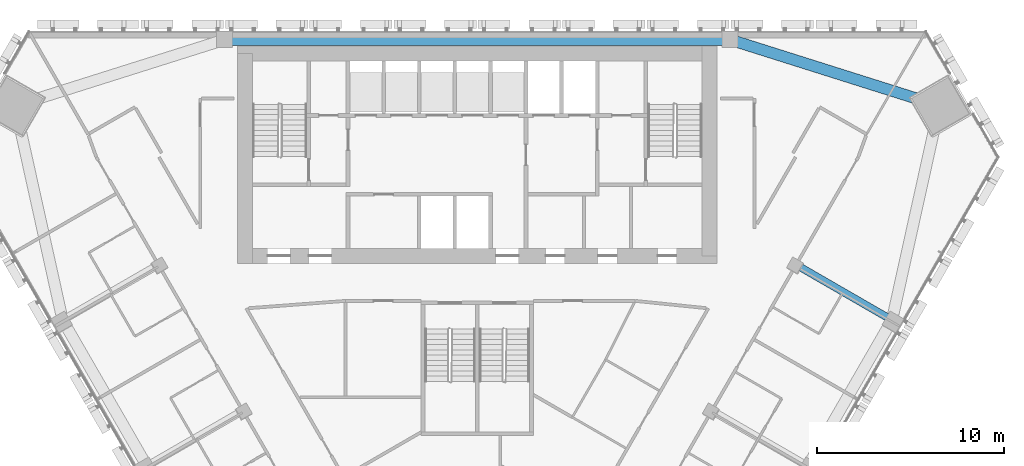
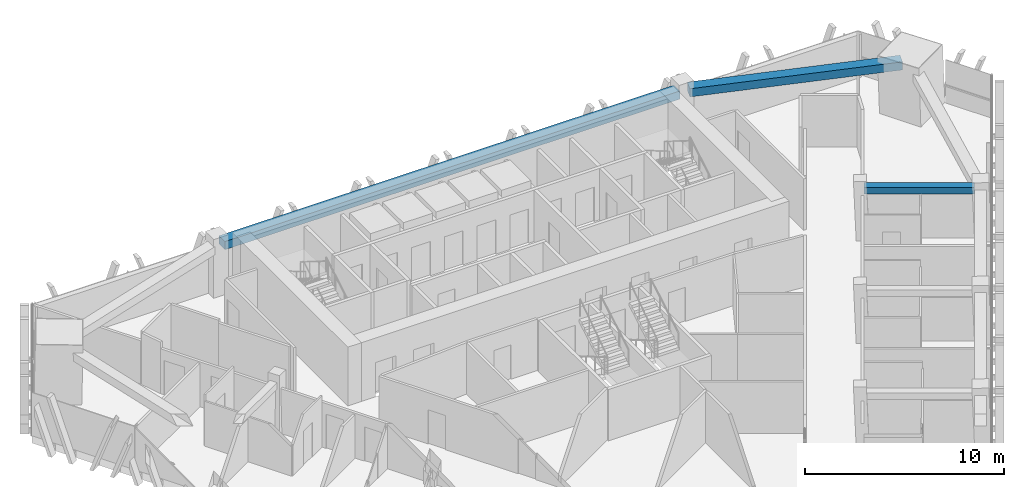
# One storey, part 6 of 16: 3 beams.
"""IFC4 building model written with IfcOpenShell, lengths in metres."""

from ifc_helpers import new_model, si_unit, direction, frame, origin, origin_2d, place, context, subcontext, project, spatial, rectangle, extrude, material, material_profile, profile_set, type_object, element, save


model = new_model("IFC4")

# Units and contexts
model_context = context("Model", 3, precision=1e-05, world=origin(), true_north=direction((0.0, 1.0)))
body_context = subcontext(model_context, "Body", "Model", "MODEL_VIEW")
ifc_project = project(units=[si_unit("LENGTHUNIT", "METRE"), si_unit("AREAUNIT", "SQUARE_METRE"), si_unit("VOLUMEUNIT", "CUBIC_METRE"), si_unit("PLANEANGLEUNIT", "RADIAN"), si_unit("MASSUNIT", "GRAM", prefix="KILO")], contexts=[model_context])

# Site, building, storey
site_placement = place(None, origin())
site = spatial("IfcSite", under=ifc_project, at=site_placement, CompositionType="ELEMENT")
building_placement = place(site_placement, origin())
building = spatial("IfcBuilding", under=site, at=building_placement, Name="Altiplano Prism Tower", CompositionType="ELEMENT")
storey_placement = place(building_placement, frame((0.0, 0.0, 131.39990234375)))
storey = spatial("IfcBuildingStorey", under=building, at=storey_placement, Name="L33", CompositionType="ELEMENT", Elevation=131.39990234375)

# Beams
ifc_material = material(Name="Concrete C60/75", Category="concrete")
ifc_material_profile_1 = material_profile(ifc_material, rectangle(XDim=0.60009765625, YDim=0.5, at=origin_2d()), Name="Edge beam 600x500")
ifc_profile_set_1 = profile_set([ifc_material_profile_1], Name="Concrete C60/75")
beam_type_1 = type_object("IfcBeamType", Name="Edge beam 600x500", PredefinedType="SPANDREL", material=ifc_profile_set_1)
beam_1_placement = place(storey_placement, frame((109.25048828125, 101.1552734375, 2.900146484375), z_axis=(-0.95358772039, 0.30111535916, 0.0), x_axis=(-0.30111535916, -0.95358772039, 0.0)))
element("IfcBeam", 1, at=beam_1_placement, inside=storey, type_object=beam_type_1, Name="Edge beam M2-P01 L34", PredefinedType="SPANDREL", context=body_context, shape_type="SweptSolid", body=[
    extrude(rectangle(XDim=0.60009765625, YDim=0.5, at=origin_2d()), origin(), (0.0, 0.0, 1.0), 10.947998046875),
])
beam_2_placement = place(storey_placement, frame((98.195068359375, 104.550048828125, 2.900146484375), z_axis=(-1.0, 0.0, 0.0), x_axis=(0.0, -1.0, 0.0)))
element("IfcBeam", 2, at=beam_2_placement, inside=storey, type_object=beam_type_1, Name="Edge beam P01-P04 L34", PredefinedType="SPANDREL", context=body_context, shape_type="SweptSolid", body=[
    extrude(rectangle(XDim=0.60009765625, YDim=0.5, at=origin_2d()), origin(), (0.0, 0.0, 1.0), 26.39013671875),
])
ifc_material_profile_2 = material_profile(ifc_material, rectangle(XDim=0.39990234375, YDim=0.39990234375, at=origin_2d()), Name="Tie beam 400x400")
ifc_profile_set_2 = profile_set([ifc_material_profile_2], Name="Concrete C60/75")
beam_type_2 = type_object("IfcBeamType", Name="Tie beam 400x400", PredefinedType="BEAM", material=ifc_profile_set_2)
beam_3_placement = place(storey_placement, frame((102.085205078125, 92.4951171875, 2.9501953125), z_axis=(0.866046155052, -0.499964056028, 0.0), x_axis=(0.499964056028, 0.866046155052, 0.0)))
element("IfcBeam", 3, at=beam_3_placement, inside=storey, type_object=beam_type_2, Name="Tie beam I24 L34", PredefinedType="BEAM", context=body_context, shape_type="SweptSolid", body=[
    extrude(rectangle(XDim=0.39990234375, YDim=0.39990234375, at=origin_2d()), origin(), (0.0, 0.0, 1.0), 5.5400390625),
])

save(model, "model.ifc")
